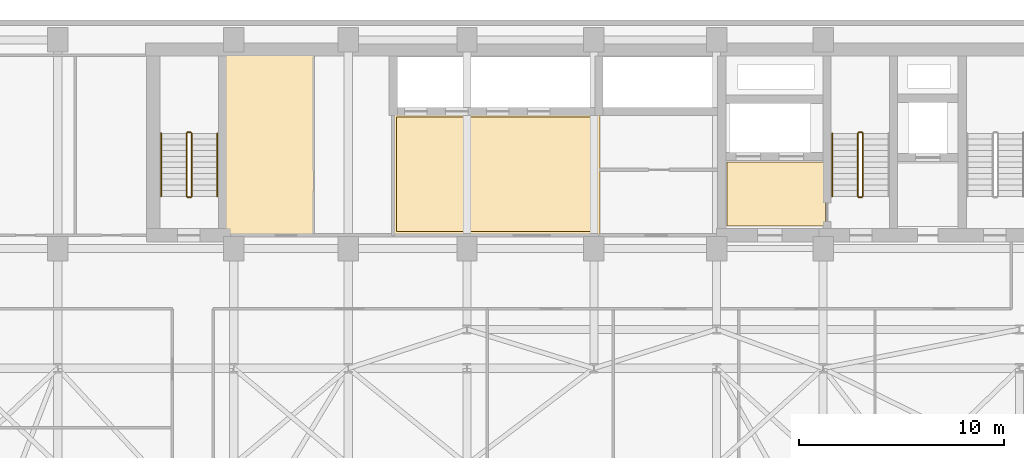
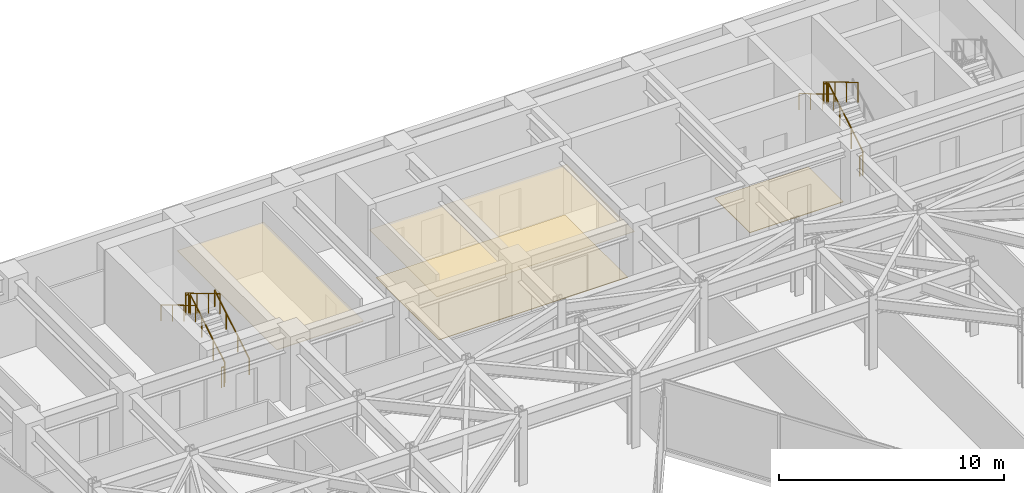
# One storey, part 25 of 26: 11 railings, 4 coverings.
"""IFC4 building model written with IfcOpenShell, lengths in metres."""

from ifc_helpers import new_model, si_unit, direction, frame, origin, origin_2d, place, context, subcontext, project, spatial, polyline, circle, outline, extrude, material, layer, layer_set, type_object, element, save


model = new_model("IFC4")

# Units and contexts
model_context = context("Model", 3, precision=1e-05, world=origin(), true_north=direction((0.0, 1.0)))
body_context = subcontext(model_context, "Body", "Model", "MODEL_VIEW")
ifc_project = project(units=[si_unit("LENGTHUNIT", "METRE"), si_unit("AREAUNIT", "SQUARE_METRE"), si_unit("VOLUMEUNIT", "CUBIC_METRE"), si_unit("PLANEANGLEUNIT", "RADIAN"), si_unit("MASSUNIT", "GRAM", prefix="KILO")], contexts=[model_context])

# Site, building, storey
site_placement = place(None, origin())
site = spatial("IfcSite", under=ifc_project, at=site_placement, CompositionType="ELEMENT")
building_placement = place(site_placement, origin())
building = spatial("IfcBuilding", under=site, at=building_placement, Name="Kravanh Interchange Tower", CompositionType="ELEMENT")
storey_placement = place(building_placement, frame((0.0, 0.0, 136.0)))
storey = spatial("IfcBuildingStorey", under=building, at=storey_placement, Name="L32", CompositionType="ELEMENT", Elevation=136.0)

# Coverings
ifc_material_1 = material(Name="Cementitious Terrazzo Tile")
ifc_layer_1 = layer(ifc_material_1, 0.030029296875)
ifc_layer_set_1 = layer_set([ifc_layer_1], Name="Honed Terrazzo Lobby Flooring 30mm")
covering_type_1 = type_object("IfcCoveringType", Name="Honed Terrazzo Lobby Flooring 30mm", PredefinedType="FLOORING", material=ifc_layer_set_1)
covering_1_placement = place(storey_placement, origin())
element("IfcCovering", 1, at=covering_1_placement, inside=storey, type_object=covering_type_1, Name="L32 Firefighting Lobby Floor Finish", PredefinedType="FLOORING", context=body_context, shape_type="SweptSolid", body=[
    extrude(outline(polyline([(56.1201171875, 38.4599609375), (51.300048828125, 38.4599609375), (51.300048828125, 41.580078125), (56.1201171875, 41.580078125), (56.1201171875, 38.4599609375)])), origin(), (0.0, 0.0, 1.0), 0.030029296875),
])
covering_2_placement = place(storey_placement, origin())
element("IfcCovering", 2, at=covering_2_placement, inside=storey, type_object=covering_type_1, Name="L32 Mid-Rise Lift Lobby Floor Finish", PredefinedType="FLOORING", context=body_context, shape_type="SweptSolid", body=[
    extrude(outline(polyline([(35.159912109375, 43.77001953125), (44.8701171875, 43.77001953125), (44.8701171875, 38.179931640625), (35.159912109375, 38.179931640625), (35.159912109375, 43.77001953125)])), origin(), (0.0, 0.0, 1.0), 0.030029296875),
])
ifc_material_2 = material(Name="Anodised Bronze Aluminium Acoustic Baffle", Category="aluminium")
ifc_layer_2 = layer(ifc_material_2, 0.034912109375)
ifc_layer_set_2 = layer_set([ifc_layer_2], Name="Linear Bronze Baffle Feature Ceiling 35mm")
covering_type_2 = type_object("IfcCoveringType", Name="Linear Bronze Baffle Feature Ceiling 35mm", PredefinedType="CEILING", material=ifc_layer_set_2)
covering_3_placement = place(storey_placement, frame((0.0, 0.0, 2.550048828125)))
element("IfcCovering", 3, at=covering_3_placement, inside=storey, type_object=covering_type_2, Name="L32 Regional IT Server Suite Suspended Ceiling", PredefinedType="CEILING", context=body_context, shape_type="SweptSolid", body=[
    extrude(outline(polyline([(31.159912109375, 37.9599609375), (26.7099609375, 37.9599609375), (26.7099609375, 46.840087890625), (31.159912109375, 46.840087890625), (31.159912109375, 37.9599609375)])), origin(), (0.0, 0.0, 1.0), 0.034912109375),
])
ifc_material_3 = material(Name="Acoustic Mineral Fibre Tile on Aluminium Grid", Category="aluminium")
ifc_layer_3 = layer(ifc_material_3, 0.02490234375)
ifc_layer_set_3 = layer_set([ifc_layer_3], Name="Perforated Acoustic Mineral Ceiling 25mm")
covering_type_3 = type_object("IfcCoveringType", Name="Perforated Acoustic Mineral Ceiling 25mm", PredefinedType="CEILING", material=ifc_layer_set_3)
covering_4_placement = place(storey_placement, frame((0.0, 0.0, 2.550048828125)))
element("IfcCovering", 4, at=covering_4_placement, inside=storey, type_object=covering_type_3, Name="L32 Mid-Rise Lift Lobby Suspended Ceiling", PredefinedType="CEILING", context=body_context, shape_type="SweptSolid", body=[
    extrude(outline(polyline([(45.090087890625, 37.9599609375), (34.93994140625, 37.9599609375), (34.93994140625, 43.989990234375), (45.090087890625, 43.989990234375), (45.090087890625, 37.9599609375)])), origin(), (0.0, 0.0, 1.0), 0.02490234375),
])

# Railings
ifc_material_4 = material(Name="Structural Steel S355", Category="steel")
ifc_layer_4 = layer(ifc_material_4, 0.050048828125)
ifc_layer_set_4 = layer_set([ifc_layer_4], Name="Stair Well Guardrail Structural Steel S355 1100mm")
railing_type_1 = type_object("IfcRailingType", Name="Stair Well Guardrail Structural Steel S355 1100mm", PredefinedType="GUARDRAIL", material=ifc_layer_set_4)
railing_1_placement = place(storey_placement, frame((57.949951171875, 39.89990234375, 0.166748046875)))
element("IfcRailing", 5, at=railing_1_placement, inside=storey, type_object=railing_type_1, Name="L32 ST2 stair guard 1", PredefinedType="GUARDRAIL", context=body_context, shape_type="SweptSolid", body=[
    extrude(circle(Radius=0.02392578125, at=origin_2d()), frame((0.0, 0.0, 1.076171875), z_axis=(0.0, 0.859308565015, 0.511457515432), x_axis=(-1.0, 0.0, 0.0)), (0.0, 0.0, 1.0), 3.58447265625),
    extrude(circle(Radius=0.02099609375, at=origin_2d()), origin(), (0.0, 0.0, 1.0), 1.052001953125),
    extrude(circle(Radius=0.02099609375, at=origin_2d()), frame((0.0, 1.026611328125, 0.611083984375)), (0.0, 0.0, 1.0), 1.052001953125),
    extrude(circle(Radius=0.02099609375, at=origin_2d()), frame((0.0, 2.053466796875, 1.22216796875)), (0.0, 0.0, 1.0), 1.052001953125),
    extrude(circle(Radius=0.02099609375, at=origin_2d()), frame((0.0, 3.080078125, 1.833251953125)), (0.0, 0.0, 1.0), 1.052001953125),
])
railing_2_placement = place(storey_placement, frame((57.89990234375, 43.030029296875, 2.0)))
element("IfcRailing", 6, at=railing_2_placement, inside=storey, type_object=railing_type_1, Name="L32 ST2 stair guard 2", PredefinedType="GUARDRAIL", context=body_context, shape_type="SweptSolid", body=[
    extrude(circle(Radius=0.02392578125, at=origin_2d()), frame((0.0, 0.0, 1.076171875), z_axis=(-1.0, 0.0, 0.0), x_axis=(0.0, -1.0, 0.0)), (0.0, 0.0, 1.0), 0.14990234375),
    extrude(circle(Radius=0.02099609375, at=origin_2d()), origin(), (0.0, 0.0, 1.0), 1.052001953125),
    extrude(circle(Radius=0.02099609375, at=origin_2d()), frame((-0.14990234375, 0.0, 0.0)), (0.0, 0.0, 1.0), 1.052001953125),
])
railing_3_placement = place(storey_placement, frame((57.699951171875, 42.97998046875, 2.166748046875)))
element("IfcRailing", 7, at=railing_3_placement, inside=storey, type_object=railing_type_1, Name="L32 ST2 stair guard 3", PredefinedType="GUARDRAIL", context=body_context, shape_type="SweptSolid", body=[
    extrude(circle(Radius=0.02392578125, at=origin_2d()), frame((0.0, 0.0, 1.076171875), z_axis=(0.0, -0.859308565015, 0.511457515432), x_axis=(1.0, 0.0, 0.0)), (0.0, 0.0, 1.0), 3.58447265625),
    extrude(circle(Radius=0.02099609375, at=origin_2d()), origin(), (0.0, 0.0, 1.0), 1.052001953125),
    extrude(circle(Radius=0.02099609375, at=origin_2d()), frame((0.0, -1.026611328125, 0.611083984375)), (0.0, 0.0, 1.0), 1.052001953125),
    extrude(circle(Radius=0.02099609375, at=origin_2d()), frame((0.0, -2.053466796875, 1.22216796875)), (0.0, 0.0, 1.0), 1.052001953125),
    extrude(circle(Radius=0.02099609375, at=origin_2d()), frame((0.0, -3.080078125, 1.833251953125)), (0.0, 0.0, 1.0), 1.052001953125),
])
railing_4_placement = place(storey_placement, frame((57.89990234375, 39.85009765625, 0.0)))
element("IfcRailing", 8, at=railing_4_placement, inside=storey, type_object=railing_type_1, Name="L32 ST2 stair guard 4", PredefinedType="GUARDRAIL", context=body_context, shape_type="SweptSolid", body=[
    extrude(circle(Radius=0.02392578125, at=origin_2d()), frame((0.0, 0.0, 1.076171875), z_axis=(-1.0, 0.0, 0.0), x_axis=(0.0, -1.0, 0.0)), (0.0, 0.0, 1.0), 0.14990234375),
    extrude(circle(Radius=0.02099609375, at=origin_2d()), origin(), (0.0, 0.0, 1.0), 1.052001953125),
    extrude(circle(Radius=0.02099609375, at=origin_2d()), frame((-0.14990234375, 0.0, 0.0)), (0.0, 0.0, 1.0), 1.052001953125),
])
railing_5_placement = place(storey_placement, frame((25.14990234375, 39.89990234375, 0.166748046875)))
element("IfcRailing", 9, at=railing_5_placement, inside=storey, type_object=railing_type_1, Name="L32 ST3 stair guard 1", PredefinedType="GUARDRAIL", context=body_context, shape_type="SweptSolid", body=[
    extrude(circle(Radius=0.02392578125, at=origin_2d()), frame((0.0, 0.0, 1.076171875), z_axis=(0.0, 0.859308565015, 0.511457515432), x_axis=(-1.0, 0.0, 0.0)), (0.0, 0.0, 1.0), 3.58447265625),
    extrude(circle(Radius=0.02099609375, at=origin_2d()), origin(), (0.0, 0.0, 1.0), 1.052001953125),
    extrude(circle(Radius=0.02099609375, at=origin_2d()), frame((0.0, 1.026611328125, 0.611083984375)), (0.0, 0.0, 1.0), 1.052001953125),
    extrude(circle(Radius=0.02099609375, at=origin_2d()), frame((0.0, 2.053466796875, 1.22216796875)), (0.0, 0.0, 1.0), 1.052001953125),
    extrude(circle(Radius=0.02099609375, at=origin_2d()), frame((0.0, 3.080078125, 1.833251953125)), (0.0, 0.0, 1.0), 1.052001953125),
])
railing_6_placement = place(storey_placement, frame((25.10009765625, 43.030029296875, 2.0)))
element("IfcRailing", 10, at=railing_6_placement, inside=storey, type_object=railing_type_1, Name="L32 ST3 stair guard 2", PredefinedType="GUARDRAIL", context=body_context, shape_type="SweptSolid", body=[
    extrude(circle(Radius=0.02392578125, at=origin_2d()), frame((0.0, 0.0, 1.076171875), z_axis=(-1.0, 0.0, 0.0), x_axis=(0.0, -1.0, 0.0)), (0.0, 0.0, 1.0), 0.150146484375),
    extrude(circle(Radius=0.02099609375, at=origin_2d()), origin(), (0.0, 0.0, 1.0), 1.052001953125),
    extrude(circle(Radius=0.02099609375, at=origin_2d()), frame((-0.150146484375, 0.0, 0.0)), (0.0, 0.0, 1.0), 1.052001953125),
])
railing_7_placement = place(storey_placement, frame((24.89990234375, 42.97998046875, 2.166748046875)))
element("IfcRailing", 11, at=railing_7_placement, inside=storey, type_object=railing_type_1, Name="L32 ST3 stair guard 3", PredefinedType="GUARDRAIL", context=body_context, shape_type="SweptSolid", body=[
    extrude(circle(Radius=0.02392578125, at=origin_2d()), frame((0.0, 0.0, 1.076171875), z_axis=(0.0, -0.859308565015, 0.511457515432), x_axis=(1.0, 0.0, 0.0)), (0.0, 0.0, 1.0), 3.58447265625),
    extrude(circle(Radius=0.02099609375, at=origin_2d()), origin(), (0.0, 0.0, 1.0), 1.052001953125),
    extrude(circle(Radius=0.02099609375, at=origin_2d()), frame((0.0, -1.026611328125, 0.611083984375)), (0.0, 0.0, 1.0), 1.052001953125),
    extrude(circle(Radius=0.02099609375, at=origin_2d()), frame((0.0, -2.053466796875, 1.22216796875)), (0.0, 0.0, 1.0), 1.052001953125),
    extrude(circle(Radius=0.02099609375, at=origin_2d()), frame((0.0, -3.080078125, 1.833251953125)), (0.0, 0.0, 1.0), 1.052001953125),
])
railing_8_placement = place(storey_placement, frame((25.10009765625, 39.85009765625, 0.0)))
element("IfcRailing", 12, at=railing_8_placement, inside=storey, type_object=railing_type_1, Name="L32 ST3 stair guard 4", PredefinedType="GUARDRAIL", context=body_context, shape_type="SweptSolid", body=[
    extrude(circle(Radius=0.02392578125, at=origin_2d()), frame((0.0, 0.0, 1.076171875), z_axis=(-1.0, 0.0, 0.0), x_axis=(0.0, -1.0, 0.0)), (0.0, 0.0, 1.0), 0.150146484375),
    extrude(circle(Radius=0.02099609375, at=origin_2d()), origin(), (0.0, 0.0, 1.0), 1.052001953125),
    extrude(circle(Radius=0.02099609375, at=origin_2d()), frame((-0.150146484375, 0.0, 0.0)), (0.0, 0.0, 1.0), 1.052001953125),
])
ifc_material_5 = material(Name="Stainless Steel 304", Category="steel")
ifc_layer_5 = layer(ifc_material_5, 0.044921875)
ifc_layer_set_5 = layer_set([ifc_layer_5], Name="Tubular Stair Handrail Stainless 304 900mm")
railing_type_2 = type_object("IfcRailingType", Name="Tubular Stair Handrail Stainless 304 900mm", PredefinedType="HANDRAIL", material=ifc_layer_set_5)
railing_9_placement = place(storey_placement, frame((56.449951171875, 42.97998046875, 2.166748046875)))
element("IfcRailing", 13, at=railing_9_placement, inside=storey, type_object=railing_type_2, Name="L32 ST2 stair handrail 2", PredefinedType="HANDRAIL", context=body_context, shape_type="SweptSolid", body=[
    extrude(circle(Radius=0.02392578125, at=origin_2d()), frame((0.0, 0.0, 0.8759765625), z_axis=(0.0, -0.859308565015, 0.511457515432), x_axis=(1.0, 0.0, 0.0)), (0.0, 0.0, 1.0), 3.58447265625),
    extrude(circle(Radius=0.02099609375, at=origin_2d()), origin(), (0.0, 0.0, 1.0), 0.851806640625),
    extrude(circle(Radius=0.02099609375, at=origin_2d()), frame((0.0, -1.026611328125, 0.611083984375)), (0.0, 0.0, 1.0), 0.851806640625),
    extrude(circle(Radius=0.02099609375, at=origin_2d()), frame((0.0, -2.053466796875, 1.22216796875)), (0.0, 0.0, 1.0), 0.851806640625),
    extrude(circle(Radius=0.02099609375, at=origin_2d()), frame((0.0, -3.080078125, 1.833251953125)), (0.0, 0.0, 1.0), 0.851806640625),
])
railing_10_placement = place(storey_placement, frame((26.39990234375, 39.89990234375, 0.166748046875)))
element("IfcRailing", 14, at=railing_10_placement, inside=storey, type_object=railing_type_2, Name="L32 ST3 stair handrail 1", PredefinedType="HANDRAIL", context=body_context, shape_type="SweptSolid", body=[
    extrude(circle(Radius=0.02392578125, at=origin_2d()), frame((0.0, 0.0, 0.8759765625), z_axis=(0.0, 0.859308565015, 0.511457515432), x_axis=(-1.0, 0.0, 0.0)), (0.0, 0.0, 1.0), 3.58447265625),
    extrude(circle(Radius=0.02099609375, at=origin_2d()), origin(), (0.0, 0.0, 1.0), 0.851806640625),
    extrude(circle(Radius=0.02099609375, at=origin_2d()), frame((0.0, 1.026611328125, 0.611083984375)), (0.0, 0.0, 1.0), 0.851806640625),
    extrude(circle(Radius=0.02099609375, at=origin_2d()), frame((0.0, 2.053466796875, 1.22216796875)), (0.0, 0.0, 1.0), 0.851806640625),
    extrude(circle(Radius=0.02099609375, at=origin_2d()), frame((0.0, 3.080078125, 1.833251953125)), (0.0, 0.0, 1.0), 0.851806640625),
])
railing_11_placement = place(storey_placement, frame((23.64990234375, 42.97998046875, 2.166748046875)))
element("IfcRailing", 15, at=railing_11_placement, inside=storey, type_object=railing_type_2, Name="L32 ST3 stair handrail 2", PredefinedType="HANDRAIL", context=body_context, shape_type="SweptSolid", body=[
    extrude(circle(Radius=0.02392578125, at=origin_2d()), frame((0.0, 0.0, 0.8759765625), z_axis=(0.0, -0.859308565015, 0.511457515432), x_axis=(1.0, 0.0, 0.0)), (0.0, 0.0, 1.0), 3.58447265625),
    extrude(circle(Radius=0.02099609375, at=origin_2d()), origin(), (0.0, 0.0, 1.0), 0.851806640625),
    extrude(circle(Radius=0.02099609375, at=origin_2d()), frame((0.0, -1.026611328125, 0.611083984375)), (0.0, 0.0, 1.0), 0.851806640625),
    extrude(circle(Radius=0.02099609375, at=origin_2d()), frame((0.0, -2.053466796875, 1.22216796875)), (0.0, 0.0, 1.0), 0.851806640625),
    extrude(circle(Radius=0.02099609375, at=origin_2d()), frame((0.0, -3.080078125, 1.833251953125)), (0.0, 0.0, 1.0), 0.851806640625),
])

save(model, "model.ifc")
